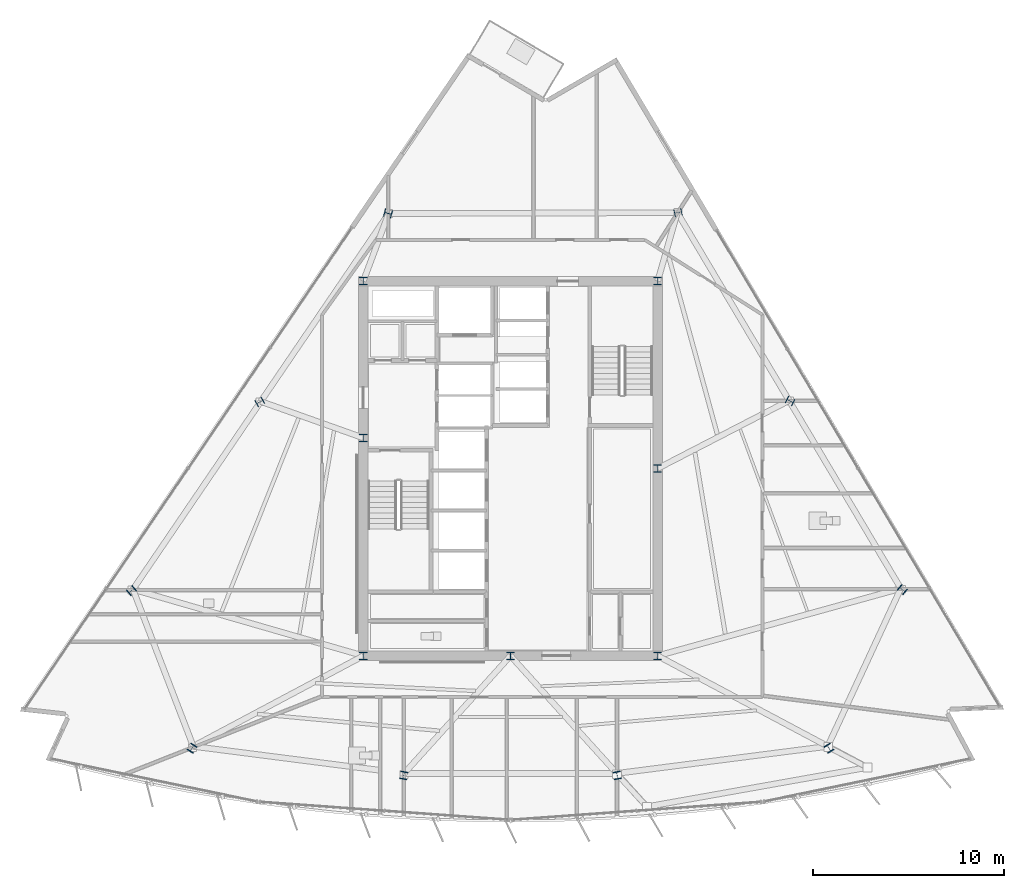
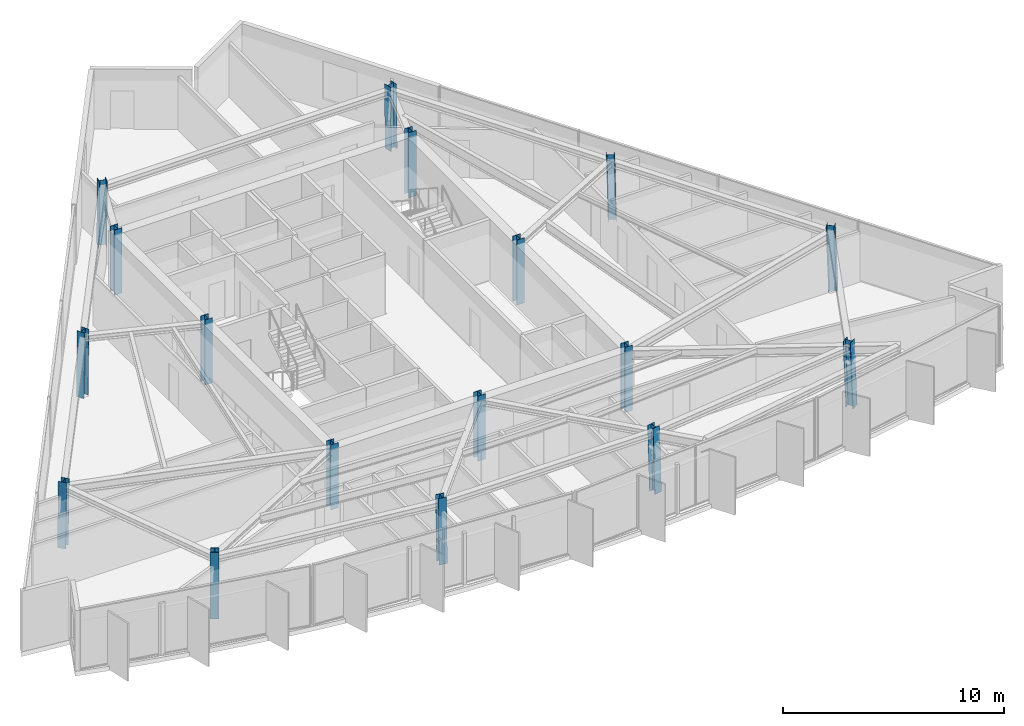
# One storey, part 1 of 15: 17 columns.
"""IFC4 building model written with IfcOpenShell, lengths in metres."""

from ifc_helpers import new_model, si_unit, direction, frame, origin, origin_2d, place, context, subcontext, project, spatial, i_section, extrude, material, material_profile, profile_set, type_object, element, save


model = new_model("IFC4")

# Units and contexts
model_context = context("Model", 3, precision=1e-05, world=origin(), true_north=direction((0.0, 1.0)))
body_context = subcontext(model_context, "Body", "Model", "MODEL_VIEW")
ifc_project = project(units=[si_unit("LENGTHUNIT", "METRE"), si_unit("AREAUNIT", "SQUARE_METRE"), si_unit("VOLUMEUNIT", "CUBIC_METRE"), si_unit("PLANEANGLEUNIT", "RADIAN"), si_unit("MASSUNIT", "GRAM", prefix="KILO")], contexts=[model_context])

# Site, building, storey
site_placement = place(None, origin())
site = spatial("IfcSite", under=ifc_project, at=site_placement, CompositionType="ELEMENT")
building_placement = place(site_placement, origin())
building = spatial("IfcBuilding", under=site, at=building_placement, Name="Savorim Split Tower", CompositionType="ELEMENT")
storey_placement = place(building_placement, frame((0.0, 0.0, 212.699951171875)))
storey = spatial("IfcBuildingStorey", under=building, at=storey_placement, Name="L56", CompositionType="ELEMENT", Elevation=212.699951171875)

# Columns
ifc_material = material(Name="Steel S355", Category="steel")
ifc_material_profile = material_profile(ifc_material, i_section(OverallWidth=0.39794921875, OverallDepth=0.386962890625, WebThickness=0.013427734375, FlangeThickness=0.02197265625, FilletRadius=0.014892578125, at=origin_2d()), Name="HD 400x262")
ifc_profile_set = profile_set([ifc_material_profile], Name="Steel S355")
column_type = type_object("IfcColumnType", Name="COL-HD-262", PredefinedType="COLUMN", material=ifc_profile_set)
for number, where, z_axis, x_axis, name in (
    (1, (-7.699951171875, -9.39990234375, 0.0), (0.0, 0.0, 1.0), (1.0, 0.0, 0.0), "L56 Core Structural Column TC-C1"),
    (2, (7.699951171875, -9.39990234375, 0.0), (0.0, 0.0, 1.0), (1.0, 0.0, 0.0), "L56 Core Structural Column TC-C2"),
    (3, (7.699951171875, 10.199951171875, 0.0), (0.0, 0.0, 1.0), (1.0, 0.0, 0.0), "L56 Core Structural Column TC-C3"),
    (4, (-7.699951171875, 10.199951171875, 0.0), (0.0, 0.0, 1.0), (1.0, 0.0, 0.0), "L56 Core Structural Column TC-C4"),
    (5, (0.0, -9.39990234375, 0.0), (0.0, 0.0, 1.0), (1.0, 0.0, 0.0), "L56 Core Structural Column TC-C5"),
    (6, (7.699951171875, 0.39990234375, 0.0), (0.0, 0.0, 1.0), (1.0, 0.0, 0.0), "L56 Core Structural Column TC-C6"),
    (7, (-7.699951171875, 2.0, 0.0), (0.0, 0.0, 1.0), (1.0, 0.0, 0.0), "L56 Core Structural Column TC-C7"),
):
    element("IfcColumn", number, at=place(storey_placement, frame(where, z_axis=z_axis, x_axis=x_axis)), inside=storey, type_object=column_type, Name=name, PredefinedType="COLUMN", context=body_context, shape_type="SweptSolid", body=[
        extrude(i_section(OverallWidth=0.39794921875, OverallDepth=0.386962890625, WebThickness=0.013427734375, FlangeThickness=0.02197265625, FilletRadius=0.014892578125, at=origin_2d()), origin(), (0.0, 0.0, 1.0), 3.60009765625),
    ])
column_1_placement = place(storey_placement, frame((-16.669921875, -14.25537109375, 0.005615234375), z_axis=(0.020596292833, 0.033511459955, 0.999226087917), x_axis=(-0.851954850327, 0.523615252838, 0.0)))
element("IfcColumn", 8, at=column_1_placement, inside=storey, type_object=column_type, Name="L56 Tapered Perimeter Column PC-S1", PredefinedType="COLUMN", context=body_context, shape_type="SweptSolid", body=[
    extrude(i_section(OverallWidth=0.39794921875, OverallDepth=0.386962890625, WebThickness=0.013427734375, FlangeThickness=0.02197265625, FilletRadius=0.014892578125, at=origin_2d()), origin(), (0.0, 0.0, 1.0), 3.591552734375),
])
for number, where, z_axis, x_axis, name in (
    (9, (-5.5869140625, -15.67822265625, 0.005615234375), (0.006866324617, 0.035215407439, 0.999356157066), (-0.981516643497, 0.191376797284, 0.0), "L56 Tapered Perimeter Column PC-S2"),
    (10, (5.5869140625, -15.67822265625, 0.005615234375), (-0.006866324617, 0.035215407439, 0.999356157066), (-0.981516643497, -0.191376797284, 0.0), "L56 Tapered Perimeter Column PC-S3"),
):
    element("IfcColumn", number, at=place(storey_placement, frame(where, z_axis=z_axis, x_axis=x_axis)), inside=storey, type_object=column_type, Name=name, PredefinedType="COLUMN", context=body_context, shape_type="SweptSolid", body=[
        extrude(i_section(OverallWidth=0.39794921875, OverallDepth=0.386962890625, WebThickness=0.013427734375, FlangeThickness=0.02197265625, FilletRadius=0.014892578125, at=origin_2d()), origin(), (0.0, 0.0, 1.0), 3.591064453125),
    ])
column_2_placement = place(storey_placement, frame((16.669921875, -14.25537109375, 0.005615234375), z_axis=(-0.020596292833, 0.033511459955, 0.999226087917), x_axis=(-0.851954850327, -0.523615252838, 0.0)))
element("IfcColumn", 11, at=column_2_placement, inside=storey, type_object=column_type, Name="L56 Tapered Perimeter Column PC-S4", PredefinedType="COLUMN", context=body_context, shape_type="SweptSolid", body=[
    extrude(i_section(OverallWidth=0.39794921875, OverallDepth=0.386962890625, WebThickness=0.013427734375, FlangeThickness=0.02197265625, FilletRadius=0.014892578125, at=origin_2d()), origin(), (0.0, 0.0, 1.0), 3.591552734375),
])
column_3_placement = place(storey_placement, frame((20.512451171875, -5.951904296875, 0.005615234375), z_axis=(-0.026107436898, 0.021620221181, 0.999425318758), x_axis=(-0.637813971185, -0.770190455771, 0.0)))
element("IfcColumn", 12, at=column_3_placement, inside=storey, type_object=column_type, Name="L56 Tapered Perimeter Column PC-E1", PredefinedType="COLUMN", context=body_context, shape_type="SweptSolid", body=[
    extrude(i_section(OverallWidth=0.39794921875, OverallDepth=0.386962890625, WebThickness=0.013427734375, FlangeThickness=0.02197265625, FilletRadius=0.014892578125, at=origin_2d()), origin(), (0.0, 0.0, 1.0), 3.5908203125),
])
column_4_placement = place(storey_placement, frame((14.64208984375, 3.92041015625, 0.005615234375), z_axis=(-0.018907326549, 0.00952167524, 0.999775900241), x_axis=(-0.449781931574, -0.893138406984, 0.0)))
element("IfcColumn", 13, at=column_4_placement, inside=storey, type_object=column_type, Name="L56 Tapered Perimeter Column PC-E2", PredefinedType="COLUMN", context=body_context, shape_type="SweptSolid", body=[
    extrude(i_section(OverallWidth=0.39794921875, OverallDepth=0.386962890625, WebThickness=0.013427734375, FlangeThickness=0.02197265625, FilletRadius=0.014892578125, at=origin_2d()), origin(), (0.0, 0.0, 1.0), 3.589599609375),
])
for number, where, z_axis, x_axis, name in (
    (14, (8.772216796875, 13.79248046875, 0.005615234375), (-0.011767853257, -0.00258484638, 0.999927415465), (0.214538664031, -0.976715496773, 0.0), "L56 Tapered Perimeter Column PC-E3"),
    (15, (-6.4072265625, 13.74365234375, 0.005615234375), (0.008843163607, -0.002516900411, 0.999957730942), (0.273743828055, 0.961802639112, 0.0), "L56 Tapered Perimeter Column PC-W1"),
):
    element("IfcColumn", number, at=place(storey_placement, frame(where, z_axis=z_axis, x_axis=x_axis)), inside=storey, type_object=column_type, Name=name, PredefinedType="COLUMN", context=body_context, shape_type="SweptSolid", body=[
        extrude(i_section(OverallWidth=0.39794921875, OverallDepth=0.386962890625, WebThickness=0.013427734375, FlangeThickness=0.02197265625, FilletRadius=0.014892578125, at=origin_2d()), origin(), (0.0, 0.0, 1.0), 3.589111328125),
    ])
column_5_placement = place(storey_placement, frame((-13.123046875, 3.87158203125, 0.005615234375), z_axis=(0.017003572908, 0.009522000828, 0.999810086971), x_axis=(-0.488603368932, 0.87250601595, 0.0)))
element("IfcColumn", 16, at=column_5_placement, inside=storey, type_object=column_type, Name="L56 Tapered Perimeter Column PC-W2", PredefinedType="COLUMN", context=body_context, shape_type="SweptSolid", body=[
    extrude(i_section(OverallWidth=0.39794921875, OverallDepth=0.386962890625, WebThickness=0.013427734375, FlangeThickness=0.02197265625, FilletRadius=0.014892578125, at=origin_2d()), origin(), (0.0, 0.0, 1.0), 3.589599609375),
])
column_6_placement = place(storey_placement, frame((-19.8388671875, -6.00048828125, 0.005615234375), z_axis=(0.025224200599, 0.021552753612, 0.99944945771), x_axis=(-0.649609258817, 0.760268249278, 0.0)))
element("IfcColumn", 17, at=column_6_placement, inside=storey, type_object=column_type, Name="L56 Tapered Perimeter Column PC-W3", PredefinedType="COLUMN", context=body_context, shape_type="SweptSolid", body=[
    extrude(i_section(OverallWidth=0.39794921875, OverallDepth=0.386962890625, WebThickness=0.013427734375, FlangeThickness=0.02197265625, FilletRadius=0.014892578125, at=origin_2d()), origin(), (0.0, 0.0, 1.0), 3.5908203125),
])

save(model, "model.ifc")
